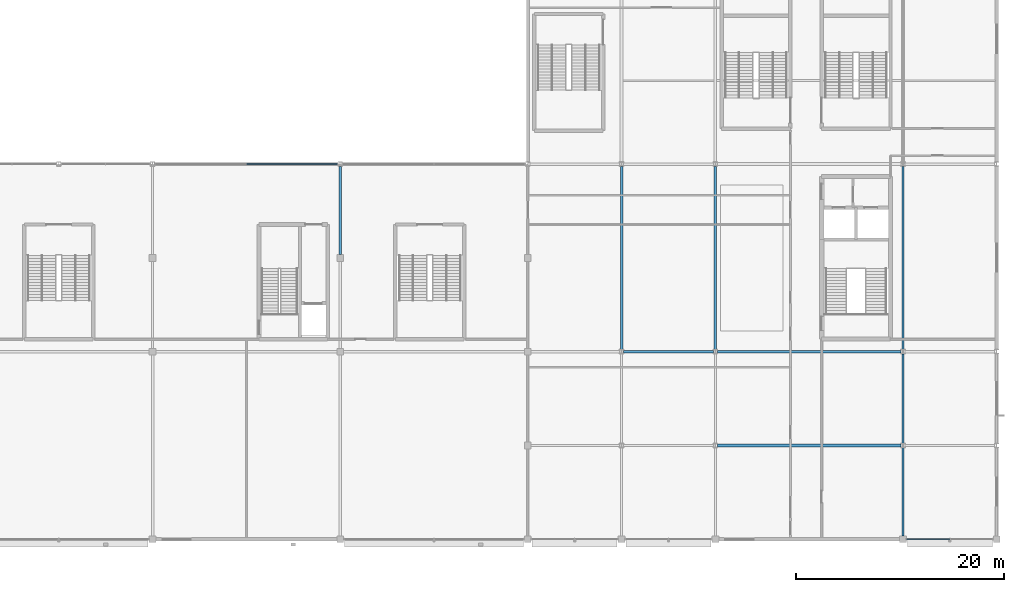
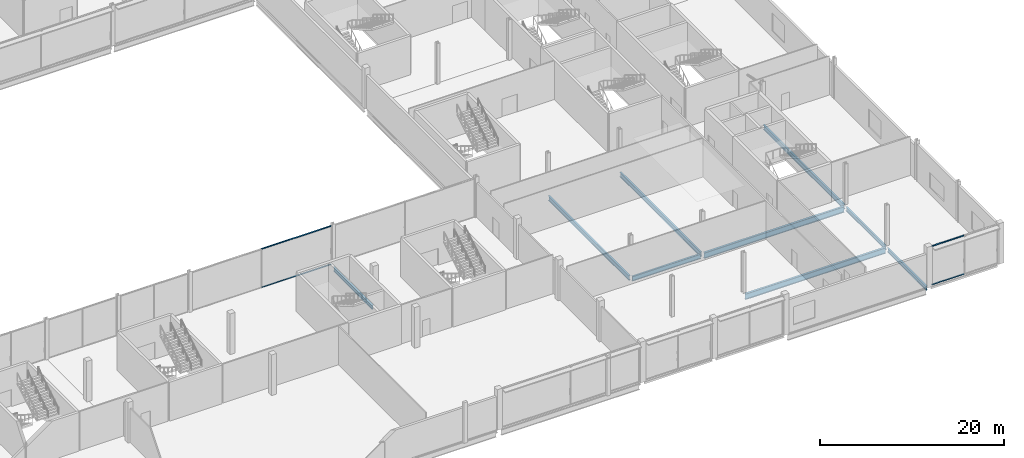
# One storey, part 44 of 111: 9 beams, 4 members, 2 elements without a shape of their own.
"""IFC4 building model written with IfcOpenShell, lengths in metres."""

from ifc_helpers import new_model, si_unit, direction, frame, origin, origin_2d, place, context, subcontext, project, spatial, rectangle, i_section, extrude, material, layer, layer_set, material_profile, profile_set, type_object, element, aggregate, save


model = new_model("IFC4")

# Units and contexts
model_context = context("Model", 3, precision=1e-05, world=origin(), true_north=direction((0.0, 1.0)))
body_context = subcontext(model_context, "Body", "Model", "MODEL_VIEW")
ifc_project = project(units=[si_unit("LENGTHUNIT", "METRE"), si_unit("AREAUNIT", "SQUARE_METRE"), si_unit("VOLUMEUNIT", "CUBIC_METRE"), si_unit("PLANEANGLEUNIT", "RADIAN"), si_unit("MASSUNIT", "GRAM", prefix="KILO")], contexts=[model_context])

# Site, building, storey
site_placement = place(None, origin())
site = spatial("IfcSite", under=ifc_project, at=site_placement, CompositionType="ELEMENT")
building_placement = place(site_placement, origin())
building = spatial("IfcBuilding", under=site, at=building_placement, Name="Kisiwana Market Hall", CompositionType="ELEMENT")
storey_placement = place(building_placement, frame((0.0, 0.0, 11.39990234375)))
storey = spatial("IfcBuildingStorey", under=building, at=storey_placement, Name="L02", CompositionType="ELEMENT", Elevation=11.39990234375)

# Beams
ifc_material_1 = material(Name="Steel S355", Category="steel")
ifc_material_profile_1 = material_profile(ifc_material_1, i_section(OverallWidth=0.209228515625, OverallDepth=0.533203125, WebThickness=0.010009765625, FlangeThickness=0.015625, at=origin_2d()), Name="UB 533x210x92")
ifc_profile_set_1 = profile_set([ifc_material_profile_1], Name="Steel S355")
beam_type_1 = type_object("IfcBeamType", Name="BM-GIRD-UB533", PredefinedType="BEAM", material=ifc_profile_set_1)
beam_1_placement = place(storey_placement, frame((135.0, 27.321044921875, -0.516357421875), z_axis=(0.0, 1.0, 0.0), x_axis=(-1.0, 0.0, 0.0)))
element("IfcBeam", 1, at=beam_1_placement, inside=storey, type_object=beam_type_1, Name="Primary girder B-0657", PredefinedType="BEAM", context=body_context, shape_type="SweptSolid", body=[
    extrude(i_section(OverallWidth=0.209228515625, OverallDepth=0.533203125, WebThickness=0.010009765625, FlangeThickness=0.015625, at=origin_2d()), origin(), (0.0, 0.0, 1.0), 8.465576171875),
])
beam_2_placement = place(storey_placement, frame((189.0, 0.321044921875, -0.516357421875), z_axis=(0.0, 1.0, 0.0), x_axis=(-1.0, 0.0, 0.0)))
element("IfcBeam", 2, at=beam_2_placement, inside=storey, type_object=beam_type_1, Name="Primary girder B-0683", PredefinedType="BEAM", context=body_context, shape_type="SweptSolid", body=[
    extrude(i_section(OverallWidth=0.209228515625, OverallDepth=0.533203125, WebThickness=0.010009765625, FlangeThickness=0.015625, at=origin_2d()), origin(), (0.0, 0.0, 1.0), 8.479736328125),
])
beam_3_placement = place(storey_placement, frame((189.0, 9.19921875, -0.516357421875), z_axis=(0.0, 1.0, 0.0), x_axis=(-1.0, 0.0, 0.0)))
element("IfcBeam", 3, at=beam_3_placement, inside=storey, type_object=beam_type_1, Name="Primary girder B-0684", PredefinedType="BEAM", context=body_context, shape_type="SweptSolid", body=[
    extrude(i_section(OverallWidth=0.209228515625, OverallDepth=0.533203125, WebThickness=0.010009765625, FlangeThickness=0.015625, at=origin_2d()), origin(), (0.0, 0.0, 1.0), 8.58740234375),
])
ifc_material_2 = material(Name="Steel S355", Category="steel")
ifc_material_profile_2 = material_profile(ifc_material_2, i_section(OverallWidth=0.22900390625, OverallDepth=0.6123046875, WebThickness=0.011962890625, FlangeThickness=0.01953125, at=origin_2d()), Name="UB 610x229x125")
ifc_profile_set_2 = profile_set([ifc_material_profile_2], Name="Steel S355")
beam_type_2 = type_object("IfcBeamType", Name="BM-GIRD-UB610H", PredefinedType="BEAM", material=ifc_profile_set_2)
beam_4_placement = place(storey_placement, frame((162.201904296875, 18.0, -0.555908203125), z_axis=(1.0, 0.0, 0.0), x_axis=(0.0, 1.0, 0.0)))
element("IfcBeam", 4, at=beam_4_placement, inside=storey, type_object=beam_type_2, Name="Floor beam B-0752", PredefinedType="BEAM", context=body_context, shape_type="SweptSolid", body=[
    extrude(i_section(OverallWidth=0.22900390625, OverallDepth=0.6123046875, WebThickness=0.011962890625, FlangeThickness=0.01953125, at=origin_2d()), origin(), (0.0, 0.0, 1.0), 8.59619140625),
])
for number, where, z_axis, x_axis, name in (
    (5, (162.0, 18.21337890625, -0.555908203125), (0.0, 1.0, 0.0), (-1.0, 0.0, 0.0), "Primary girder B-0671"),
    (6, (171.0, 18.21337890625, -0.555908203125), (0.0, 1.0, 0.0), (-1.0, 0.0, 0.0), "Primary girder B-0679"),
    (7, (189.0, 18.21337890625, -0.555908203125), (0.0, 1.0, 0.0), (-1.0, 0.0, 0.0), "Primary girder B-0685"),
):
    element("IfcBeam", number, at=place(storey_placement, frame(where, z_axis=z_axis, x_axis=x_axis)), inside=storey, type_object=beam_type_2, Name=name, PredefinedType="BEAM", context=body_context, shape_type="SweptSolid", body=[
        extrude(i_section(OverallWidth=0.22900390625, OverallDepth=0.6123046875, WebThickness=0.011962890625, FlangeThickness=0.01953125, at=origin_2d()), origin(), (0.0, 0.0, 1.0), 17.5732421875),
    ])
ifc_material_3 = material(Name="Steel S355", Category="steel")
ifc_material_profile_3 = material_profile(ifc_material_3, i_section(OverallWidth=0.2666015625, OverallDepth=0.76220703125, WebThickness=0.014404296875, FlangeThickness=0.021484375, at=origin_2d()), Name="UB 762x267x173")
ifc_profile_set_3 = profile_set([ifc_material_profile_3], Name="Steel S355")
beam_type_3 = type_object("IfcBeamType", Name="BM-GIRD-UB762", PredefinedType="BEAM", material=ifc_profile_set_3)
beam_5_placement = place(storey_placement, frame((171.197509765625, 9.0, -0.631103515625), z_axis=(1.0, 0.0, 0.0), x_axis=(0.0, 1.0, 0.0)))
element("IfcBeam", 8, at=beam_5_placement, inside=storey, type_object=beam_type_3, Name="Floor beam B-0739", PredefinedType="BEAM", context=body_context, shape_type="SweptSolid", body=[
    extrude(i_section(OverallWidth=0.2666015625, OverallDepth=0.76220703125, WebThickness=0.014404296875, FlangeThickness=0.021484375, at=origin_2d()), origin(), (0.0, 0.0, 1.0), 17.60498046875),
])
beam_6_placement = place(storey_placement, frame((171.201904296875, 18.0, -0.631103515625), z_axis=(1.0, 0.0, 0.0), x_axis=(0.0, 1.0, 0.0)))
element("IfcBeam", 9, at=beam_6_placement, inside=storey, type_object=beam_type_3, Name="Floor beam B-0753", PredefinedType="BEAM", context=body_context, shape_type="SweptSolid", body=[
    extrude(i_section(OverallWidth=0.2666015625, OverallDepth=0.76220703125, WebThickness=0.014404296875, FlangeThickness=0.021484375, at=origin_2d()), origin(), (0.0, 0.0, 1.0), 17.59619140625),
])

# Curtain wall, members
ifc_material_4 = material(Name="Double-glazed solar-control low-E IGU", Category="glass")
ifc_layer_1 = layer(ifc_material_4, 0.159912109375)
ifc_layer_set_1 = layer_set([ifc_layer_1], Name="CW-GLD-W-6400")
curtain_wall_type_1 = type_object("IfcCurtainWallType", Name="CW-GLD-W-6400", PredefinedType="USERDEFINED", material=ifc_layer_set_1)
curtain_wall_1_placement = place(storey_placement, origin())
curtain_wall_1 = element("IfcCurtainWall", 10, at=curtain_wall_1_placement, inside=storey, type_object=curtain_wall_type_1, Name="Unitised curtain wall CW-062 (L02)", ObjectType="UNITISED CURTAIN WALL", PredefinedType="USERDEFINED")
ifc_material_5 = material(Name="Aluminium alloy 6063-T6", Category="aluminium")
ifc_material_profile_4 = material_profile(ifc_material_5, rectangle(XDim=0.1201171875, YDim=0.06005859375, at=origin_2d()), Name="ALU TRANSOM 60x120")
ifc_profile_set_4 = profile_set([ifc_material_profile_4], Name="Aluminium alloy 6063-T6")
member_type = type_object("IfcMemberType", Name="CW-TRAN-60x120", PredefinedType="USERDEFINED", material=ifc_profile_set_4)
member_1_placement = place(storey_placement, frame((189.385009765625, 0.0, 0.030029296875), z_axis=(1.0, 0.0, 0.0), x_axis=(0.0, 1.0, 0.0)))
member_1 = element("IfcMember", 11, at=member_1_placement, type_object=member_type, Name="CW-062 transom 1.1", ObjectType="TRANSOM", PredefinedType="USERDEFINED", context=body_context, shape_type="SweptSolid", body=[
    extrude(rectangle(XDim=0.1201171875, YDim=0.06005859375, at=origin_2d()), origin(), (0.0, 0.0, 1.0), 4.0849609375),
])
member_2_placement = place(storey_placement, frame((189.385009765625, 0.0, 5.1201171875), z_axis=(1.0, 0.0, 0.0), x_axis=(0.0, 1.0, 0.0)))
member_2 = element("IfcMember", 12, at=member_2_placement, type_object=member_type, Name="CW-062 transom 1.2", ObjectType="TRANSOM", PredefinedType="USERDEFINED", context=body_context, shape_type="SweptSolid", body=[
    extrude(rectangle(XDim=0.1201171875, YDim=0.06005859375, at=origin_2d()), origin(), (0.0, 0.0, 1.0), 4.0849609375),
])
aggregate(curtain_wall_1, [member_1, member_2])

ifc_material_6 = material(Name="Double-glazed solar-control low-E IGU", Category="glass")
ifc_layer_2 = layer(ifc_material_6, 0.159912109375)
ifc_layer_set_2 = layer_set([ifc_layer_2], Name="CW-GLD-E-7200")
curtain_wall_type_2 = type_object("IfcCurtainWallType", Name="CW-GLD-E-7200", PredefinedType="USERDEFINED", material=ifc_layer_set_2)
curtain_wall_2_placement = place(storey_placement, origin())
curtain_wall_2 = element("IfcCurtainWall", 13, at=curtain_wall_2_placement, inside=storey, type_object=curtain_wall_type_2, Name="Unitised curtain wall CW-069 (L02)", ObjectType="UNITISED CURTAIN WALL", PredefinedType="USERDEFINED")
member_3_placement = place(storey_placement, frame((126.030029296875, 36.0, 0.030029296875), z_axis=(1.0, 0.0, 0.0), x_axis=(0.0, 1.0, 0.0)))
member_3 = element("IfcMember", 14, at=member_3_placement, type_object=member_type, Name="CW-069 transom 2.1", ObjectType="TRANSOM", PredefinedType="USERDEFINED", context=body_context, shape_type="SweptSolid", body=[
    extrude(rectangle(XDim=0.1201171875, YDim=0.06005859375, at=origin_2d()), origin(), (0.0, 0.0, 1.0), 8.703857421875),
])
member_4_placement = place(storey_placement, frame((126.030029296875, 36.0, 5.1201171875), z_axis=(1.0, 0.0, 0.0), x_axis=(0.0, 1.0, 0.0)))
member_4 = element("IfcMember", 15, at=member_4_placement, type_object=member_type, Name="CW-069 transom 2.2", ObjectType="TRANSOM", PredefinedType="USERDEFINED", context=body_context, shape_type="SweptSolid", body=[
    extrude(rectangle(XDim=0.1201171875, YDim=0.06005859375, at=origin_2d()), origin(), (0.0, 0.0, 1.0), 8.703857421875),
])
aggregate(curtain_wall_2, [member_3, member_4])

save(model, "model.ifc")
